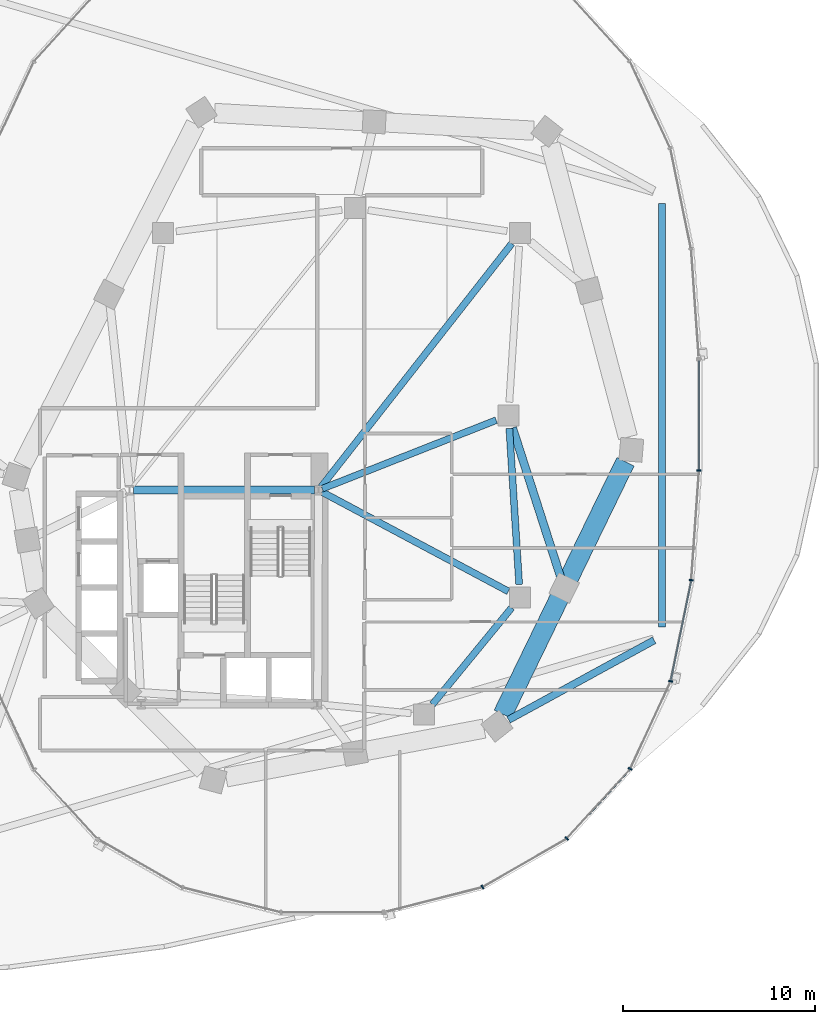
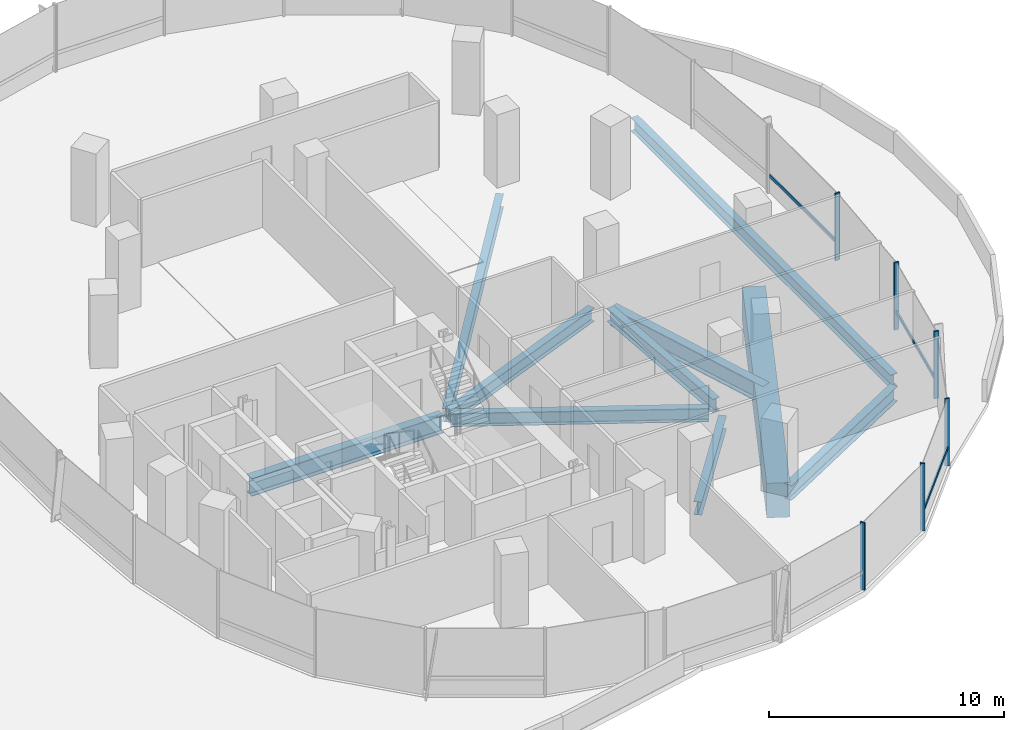
# One storey, part 12 of 28: 10 beams, 9 members, 1 element without a shape of its own.
"""IFC4 building model written with IfcOpenShell, lengths in metres."""

import ifcopenshell
import ifcopenshell.guid

model = None  # the IFC model being written
_history = None  # IfcOwnerHistory: only IFC2X3 demands one
_inside = {}  # id of a spatial element -> (the spatial element, [elements in it])
_under = {}  # id of a project, library or spatial element -> (it, [spatial elements below it])
_declared = {}  # id of a project -> (the project, [libraries it declares])
_typed = {}  # id of a type object -> (the type object, [elements of that type])
_made_of = {}  # id of a material, layer set ... -> (it, [elements and type objects made of it])


def new_model(schema):
    """Start an empty IFC model of exactly this schema.

    Asked for "IFC4X3", IfcOpenShell would pick the latest addendum, in which some entities
    have other attributes; the version numbers below select the first issue.
    IFC2X3 requires an IfcOwnerHistory on every rooted entity: one is made here for all.
    """
    global model, _history
    if schema == "IFC4X3":
        model = ifcopenshell.file(schema_version=(4, 3, 0, 0))
    else:
        model = ifcopenshell.file(schema=schema)
    _inside.clear()
    _under.clear()
    _declared.clear()
    _typed.clear()
    _made_of.clear()
    _history = None
    if model.schema == "IFC2X3":
        org = make("IfcOrganization", Name="unknown")
        user = make(
            "IfcPersonAndOrganization",
            ThePerson=make("IfcPerson", FamilyName="unknown"),
            TheOrganization=org,
        )
        app = make(
            "IfcApplication",
            ApplicationDeveloper=org,
            Version="unknown",
            ApplicationFullName="unknown",
            ApplicationIdentifier="unknown",
        )
        _history = make(
            "IfcOwnerHistory",
            OwningUser=user,
            OwningApplication=app,
            ChangeAction="ADDED",
            CreationDate=0,
        )
    return model


def make(cls, **values):
    """One entity of the class cls with the attributes given. An attribute that is None is left unset."""
    return model.create_entity(
        cls, **{name: value for name, value in values.items() if value is not None}
    )


def rooted(cls, **values):
    """An entity with a GlobalId (a new one), such as an element, a storey or a relation."""
    return make(cls, GlobalId=ifcopenshell.guid.new(), OwnerHistory=_history, **values)


def si_unit(unit_type, name, prefix=None):
    """IfcSIUnit, for example si_unit("LENGTHUNIT", "METRE", prefix="MILLI")."""
    return make("IfcSIUnit", UnitType=unit_type, Prefix=prefix, Name=name)


def assignment(units):
    """IfcUnitAssignment: the units of a project."""
    return None if units is None else make("IfcUnitAssignment", Units=units)


def point(xyz):
    """IfcCartesianPoint."""
    return None if xyz is None else make("IfcCartesianPoint", Coordinates=xyz)


def direction(xyz):
    """IfcDirection."""
    return None if xyz is None else make("IfcDirection", DirectionRatios=xyz)


def frame(location, z_axis=None, x_axis=None):
    """IfcAxis2Placement3D, a coordinate frame: its origin and axes. An axis left out is left unset."""
    return make(
        "IfcAxis2Placement3D",
        Location=point(location),
        Axis=direction(z_axis),
        RefDirection=direction(x_axis),
    )


def frame_2d(location, x_axis=None):
    """IfcAxis2Placement2D, a coordinate frame in the plane: its origin and x axis."""
    return make(
        "IfcAxis2Placement2D", Location=point(location), RefDirection=direction(x_axis)
    )


def origin():
    """The frame at (0, 0, 0) with its axes left unset."""
    return frame((0.0, 0.0, 0.0))


def origin_2d():
    """The frame at (0, 0) in the plane with its x axis left unset."""
    return frame_2d((0.0, 0.0))


def place(relative_to, where):
    """IfcLocalPlacement: puts the frame where relative to a parent placement (None: the world)."""
    return make(
        "IfcLocalPlacement", PlacementRelTo=relative_to, RelativePlacement=where
    )


def context(
    kind, dimensions, precision=None, world=None, true_north=None, identifier=None
):
    """IfcGeometricRepresentationContext, for example the 3D "Model" context."""
    return make(
        "IfcGeometricRepresentationContext",
        ContextIdentifier=identifier,
        ContextType=kind,
        CoordinateSpaceDimension=dimensions,
        Precision=precision,
        WorldCoordinateSystem=world,
        TrueNorth=true_north,
    )


def subcontext(parent, identifier, kind, view, scale=None):
    """IfcGeometricRepresentationSubContext, for example "Body" below "Model"."""
    return make(
        "IfcGeometricRepresentationSubContext",
        ContextIdentifier=identifier,
        ContextType=kind,
        ParentContext=parent,
        TargetScale=scale,
        TargetView=view,
    )


def project(units=None, contexts=None):
    """IfcProject with its units and contexts."""
    return rooted(
        "IfcProject",
        Name="project",
        RepresentationContexts=contexts,
        UnitsInContext=assignment(units),
    )


def spatial(cls, under=None, at=None, **own):
    """A site, building, storey or space (cls), placed at a placement, below another one or the project."""
    s = rooted(cls, ObjectPlacement=at, **own)
    if under is not None:
        _under.setdefault(under.id(), (under, []))[1].append(s)
    return s


def profile(cls, at=None, kind="AREA", **sizes):
    """A parametric profile (cls). Its sizes go by their IFC names, for example OverallWidth=200.0."""
    return make(cls, ProfileType=kind, Position=at, **sizes)


def rectangle(**sizes):
    """IfcRectangleProfileDef."""
    return profile("IfcRectangleProfileDef", **sizes)


def i_section(**sizes):
    """IfcIShapeProfileDef."""
    return profile("IfcIShapeProfileDef", **sizes)


def extrude(swept, where, along, depth):
    """IfcExtrudedAreaSolid: the profile swept, set in the frame where, extruded along a direction by depth."""
    return make(
        "IfcExtrudedAreaSolid",
        SweptArea=swept,
        Position=where,
        ExtrudedDirection=direction(along),
        Depth=depth,
    )


def shape(context_of_items, identifier, shape_type, items):
    """IfcShapeRepresentation: the items that make up one representation, for example the "Body"."""
    return make(
        "IfcShapeRepresentation",
        ContextOfItems=context_of_items,
        RepresentationIdentifier=identifier,
        RepresentationType=shape_type,
        Items=items,
    )


def material(Name=None, Category=None):
    """IfcMaterial."""
    return make("IfcMaterial", Name=Name, Category=Category)


def material_profile(
    of_material, cross_section, Name=None, Category=None, Priority=None
):
    """IfcMaterialProfile: a cross section and its material."""
    return make(
        "IfcMaterialProfile",
        Name=Name,
        Material=of_material,
        Profile=cross_section,
        Priority=Priority,
        Category=Category,
    )


def profile_set(profiles, Name=None, composite=None):
    """IfcMaterialProfileSet."""
    return make(
        "IfcMaterialProfileSet",
        Name=Name,
        MaterialProfiles=profiles,
        CompositeProfile=composite,
    )


def made_of(thing, what):
    """Note that an element or type object is made of a material, layer set ...; save() writes the relation."""
    if what is not None:
        _made_of.setdefault(what.id(), (what, []))[1].append(thing)
    return thing


def type_object(cls, material=None, **own):
    """A type object (cls), such as IfcWallType, which elements share."""
    return made_of(rooted(cls, **own), material)


def element(
    cls,
    number,
    at=None,
    inside=None,
    cuts=None,
    type_object=None,
    material=None,
    context=None,
    identifier="Body",
    shape_type=None,
    held_by="IfcProductDefinitionShape",
    body=None,
    shapes=None,
    **own,
):
    """One element of the class cls, such as IfcWall. Its Tag is "e" and its number.

    at: its placement. inside: the storey or other place that contains it. cuts: it is an
    opening in that element (IfcRelVoidsElement). A single representation is given by context,
    identifier, shape_type and body (its items); several are given by shapes. held_by: the class
    of the entity that holds the representations. save() writes the other relations.
    """
    e = rooted(cls, Tag="e%d" % number, ObjectPlacement=at, **own)
    if body is not None:
        shapes = [shape(context, identifier, shape_type, body)]
    if shapes is not None:
        e.Representation = make(held_by, Representations=shapes)
    if inside is not None:
        _inside.setdefault(inside.id(), (inside, []))[1].append(e)
    if cuts is not None:
        rooted(
            "IfcRelVoidsElement", RelatingBuildingElement=cuts, RelatedOpeningElement=e
        )
    if type_object is not None:
        _typed.setdefault(type_object.id(), (type_object, []))[1].append(e)
    return made_of(e, material)


def aggregate(whole, parts):
    """IfcRelAggregates: a whole, such as a stair, and the parts it consists of."""
    return rooted("IfcRelAggregates", RelatingObject=whole, RelatedObjects=parts)


def save(model, path):
    """Write the relations noted so far, then the file.

    IfcRelAggregates (storeys below a building ...), IfcRelContainedInSpatialStructure (elements
    in a storey), IfcRelDefinesByType, IfcRelAssociatesMaterial and IfcRelDeclares: one each for
    every whole, place, type object, material and project.
    """
    for whole, parts in _under.values():
        aggregate(whole, parts)
    for where, things in _inside.values():
        rooted(
            "IfcRelContainedInSpatialStructure",
            RelatedElements=things,
            RelatingStructure=where,
        )
    for kind, things in _typed.values():
        rooted("IfcRelDefinesByType", RelatedObjects=things, RelatingType=kind)
    for what, things in _made_of.values():
        rooted("IfcRelAssociatesMaterial", RelatedObjects=things, RelatingMaterial=what)
    for by, libraries in _declared.values():
        rooted("IfcRelDeclares", RelatingContext=by, RelatedDefinitions=libraries)
    model.write(path)


model = new_model("IFC4")

# Units and contexts
model_context = context("Model", 3, precision=1e-05, world=origin(), true_north=direction((0.0, 1.0)))
body_context = subcontext(model_context, "Body", "Model", "MODEL_VIEW")
ifc_project = project(units=[si_unit("LENGTHUNIT", "METRE"), si_unit("AREAUNIT", "SQUARE_METRE"), si_unit("VOLUMEUNIT", "CUBIC_METRE"), si_unit("PLANEANGLEUNIT", "RADIAN"), si_unit("MASSUNIT", "GRAM", prefix="KILO"), si_unit("THERMODYNAMICTEMPERATUREUNIT", "KELVIN"), si_unit("POWERUNIT", "WATT")], contexts=[model_context])

# Site, building, storey
site_placement = place(None, origin())
site = spatial("IfcSite", under=ifc_project, at=site_placement, CompositionType="ELEMENT")
building_placement = place(site_placement, origin())
building = spatial("IfcBuilding", under=site, at=building_placement, Name="Cundina Bronze Exchange", CompositionType="ELEMENT")
storey_placement = place(building_placement, frame((0.0, 0.0, 24.0)))
storey = spatial("IfcBuildingStorey", under=building, at=storey_placement, Name="L05", CompositionType="ELEMENT", Elevation=24.0)

# Beams
ifc_material_1 = material(Name="Steel ASTM A992 Grade 50", Category="steel")
ifc_material_profile_1 = material_profile(ifc_material_1, i_section(OverallWidth=0.35498046875, OverallDepth=0.695068359375, WebThickness=0.015380859375, FlangeThickness=0.02490234375, FilletRadius=0.01806640625, at=origin_2d()), Name="W27X146", Category="steel")
ifc_profile_set_1 = profile_set([ifc_material_profile_1], Name="Steel ASTM A992 Grade 50")
beam_type_1 = type_object("IfcBeamType", Name="BM-RING-W27", PredefinedType="USERDEFINED", material=ifc_profile_set_1)
beam_1_placement = place(storey_placement, frame((37.236083984375, -15.06787109375, -0.6474609375), z_axis=(0.633941925234, 0.773380653644, 0.0), x_axis=(-0.773380653644, 0.633941925234, 0.0)))
element("IfcBeam", 1, at=beam_1_placement, inside=storey, type_object=beam_type_1, Name="L05 E Inner Structural Ring Girder 02", ObjectType="GIRDER", PredefinedType="USERDEFINED", context=body_context, shape_type="SweptSolid", body=[
    extrude(i_section(OverallWidth=0.35498046875, OverallDepth=0.695068359375, WebThickness=0.015380859375, FlangeThickness=0.02490234375, FilletRadius=0.01806640625, at=origin_2d()), origin(), (0.0, 0.0, 1.0), 6.511474609375),
])
beam_2_placement = place(storey_placement, frame((41.756591796875, -8.8134765625, -0.6474609375), z_axis=(-0.063020359641, 0.998012241544, 0.0), x_axis=(-0.998012241544, -0.063020359641, 0.0)))
element("IfcBeam", 2, at=beam_2_placement, inside=storey, type_object=beam_type_1, Name="L05 E Inner Structural Ring Girder 03", ObjectType="GIRDER", PredefinedType="USERDEFINED", context=body_context, shape_type="SweptSolid", body=[
    extrude(i_section(OverallWidth=0.35498046875, OverallDepth=0.695068359375, WebThickness=0.015380859375, FlangeThickness=0.02490234375, FilletRadius=0.01806640625, at=origin_2d()), origin(), (0.0, 0.0, 1.0), 8.14306640625),
])
beam_3_placement = place(storey_placement, frame((31.48974609375, -3.8251953125, -0.6474609375), z_axis=(0.930410463214, 0.366519262715, 0.0), x_axis=(-0.366519262715, 0.930410463214, 0.0)))
element("IfcBeam", 3, at=beam_3_placement, inside=storey, type_object=beam_type_1, Name="L05 E Core-to-Waist Tie Beam 1", ObjectType="GIRDER", PredefinedType="USERDEFINED", context=body_context, shape_type="SweptSolid", body=[
    extrude(i_section(OverallWidth=0.35498046875, OverallDepth=0.695068359375, WebThickness=0.015380859375, FlangeThickness=0.02490234375, FilletRadius=0.01806640625, at=origin_2d()), origin(), (0.0, 0.0, 1.0), 9.74853515625),
])
beam_4_placement = place(storey_placement, frame((31.47998046875, -3.99609375, -0.6474609375), z_axis=(0.882354169055, -0.470585933014, 0.0), x_axis=(0.470585933014, 0.882354169055, 0.0)))
element("IfcBeam", 4, at=beam_4_placement, inside=storey, type_object=beam_type_1, Name="L05 E Core-to-Waist Tie Beam 2", ObjectType="GIRDER", PredefinedType="USERDEFINED", context=body_context, shape_type="SweptSolid", body=[
    extrude(i_section(OverallWidth=0.35498046875, OverallDepth=0.695068359375, WebThickness=0.015380859375, FlangeThickness=0.02490234375, FilletRadius=0.01806640625, at=origin_2d()), origin(), (0.0, 0.0, 1.0), 11.0078125),
])
beam_5_placement = place(storey_placement, frame((31.42578125, -3.739501953125, -0.6474609375), z_axis=(0.616784362929, 0.787132167839, 0.0), x_axis=(-0.787132167839, 0.616784362929, 0.0)))
element("IfcBeam", 5, at=beam_5_placement, inside=storey, type_object=beam_type_1, Name="L05 E Core-to-Waist Tie Beam 3", ObjectType="GIRDER", PredefinedType="USERDEFINED", context=body_context, shape_type="SweptSolid", body=[
    extrude(i_section(OverallWidth=0.35498046875, OverallDepth=0.695068359375, WebThickness=0.015380859375, FlangeThickness=0.02490234375, FilletRadius=0.01806640625, at=origin_2d()), origin(), (0.0, 0.0, 1.0), 16.132080078125),
])
beam_6_placement = place(storey_placement, frame((49.199951171875, 11.037109375, -0.652587890625), z_axis=(0.0, -1.0, 0.0), x_axis=(1.0, 0.0, 0.0)))
element("IfcBeam", 6, at=beam_6_placement, inside=storey, type_object=beam_type_1, Name="L05 Podium Roof Edge Girder 04", ObjectType="GIRDER", PredefinedType="USERDEFINED", context=body_context, shape_type="SweptSolid", body=[
    extrude(i_section(OverallWidth=0.35498046875, OverallDepth=0.695068359375, WebThickness=0.015380859375, FlangeThickness=0.02490234375, FilletRadius=0.01806640625, at=origin_2d()), origin(), (0.0, 0.0, 1.0), 22.07421875),
])
ifc_material_profile_2 = material_profile(ifc_material_1, i_section(OverallWidth=0.381103515625, OverallDepth=0.77294921875, WebThickness=0.0166015625, FlangeThickness=0.027099609375, FilletRadius=0.01904296875, at=origin_2d()), Name="W30X173", Category="steel")
ifc_profile_set_2 = profile_set([ifc_material_profile_2], Name="Steel ASTM A992 Grade 50")
beam_type_2 = type_object("IfcBeamType", Name="BM-RING-W30", PredefinedType="USERDEFINED", material=ifc_profile_set_2)
beam_7_placement = place(storey_placement, frame((48.793701171875, -11.721923828125, -0.69140625), z_axis=(-0.877499398221, -0.479577737308, 0.0), x_axis=(0.479577737308, -0.877499398221, 0.0)))
element("IfcBeam", 7, at=beam_7_placement, inside=storey, type_object=beam_type_2, Name="L05 Podium Colonnade Tie Beam 08", ObjectType="GIRDER", PredefinedType="USERDEFINED", context=body_context, shape_type="SweptSolid", body=[
    extrude(i_section(OverallWidth=0.381103515625, OverallDepth=0.77294921875, WebThickness=0.0166015625, FlangeThickness=0.027099609375, FilletRadius=0.01904296875, at=origin_2d()), origin(), (0.0, 0.0, 1.0), 8.649658203125),
])
ifc_material_profile_3 = material_profile(ifc_material_1, i_section(OverallWidth=0.423095703125, OverallDepth=0.947998046875, WebThickness=0.02392578125, FlangeThickness=0.042724609375, FilletRadius=0.02392578125, at=origin_2d()), Name="W36X302", Category="steel")
ifc_profile_set_3 = profile_set([ifc_material_profile_3], Name="Steel ASTM A992 Grade 50")
beam_type_3 = type_object("IfcBeamType", Name="BM-WRN-W36A", PredefinedType="USERDEFINED", material=ifc_profile_set_3)
beam_8_placement = place(storey_placement, frame((41.410888671875, -0.65478515625, -0.77392578125), z_axis=(0.306713948164, -0.951801740911, 0.0), x_axis=(0.951801740911, 0.306713948164, 0.0)))
element("IfcBeam", 8, at=beam_8_placement, inside=storey, type_object=beam_type_3, Name="L05 E Transfer Radial Tie Girder 07", ObjectType="GIRDER", PredefinedType="USERDEFINED", context=body_context, shape_type="SweptSolid", body=[
    extrude(i_section(OverallWidth=0.423095703125, OverallDepth=0.947998046875, WebThickness=0.02392578125, FlangeThickness=0.042724609375, FilletRadius=0.02392578125, at=origin_2d()), origin(), (0.0, 0.0, 1.0), 8.767822265625),
])
ifc_material_profile_4 = material_profile(ifc_material_1, i_section(OverallWidth=0.41796875, OverallDepth=0.927001953125, WebThickness=0.019287109375, FlangeThickness=0.031982421875, FilletRadius=0.02392578125, at=origin_2d()), Name="W36X231", Category="steel")
ifc_profile_set_4 = profile_set([ifc_material_profile_4], Name="Steel ASTM A992 Grade 50")
beam_type_4 = type_object("IfcBeamType", Name="BM-WRN-W36B", PredefinedType="USERDEFINED", material=ifc_profile_set_4)
beam_9_placement = place(storey_placement, frame((31.095947265625, -3.89990234375, -0.763427734375), z_axis=(-1.0, 0.0, 0.0), x_axis=(0.0, -1.0, 0.0)))
element("IfcBeam", 9, at=beam_9_placement, inside=storey, type_object=beam_type_4, Name="L05 E Core Perimeter Tie Girder 1", ObjectType="GIRDER", PredefinedType="USERDEFINED", context=body_context, shape_type="SweptSolid", body=[
    extrude(i_section(OverallWidth=0.41796875, OverallDepth=0.927001953125, WebThickness=0.019287109375, FlangeThickness=0.031982421875, FilletRadius=0.02392578125, at=origin_2d()), origin(), (0.0, 0.0, 1.0), 9.44189453125),
])
ifc_material_2 = material(Name="Concrete C60/75", Category="concrete")
ifc_material_profile_5 = material_profile(ifc_material_2, rectangle(XDim=1.0, YDim=1.800048828125, at=origin_2d()), Name="RC1000X1800", Category="concrete")
ifc_profile_set_5 = profile_set([ifc_material_profile_5], Name="Concrete C60/75")
beam_type_5 = type_object("IfcBeamType", Name="BM-XFER-RC1800", PredefinedType="USERDEFINED", material=ifc_profile_set_5)
beam_10_placement = place(storey_placement, frame((40.90087890625, -15.581298828125, -1.199951171875), z_axis=(0.437190083216, 0.899369129522, 0.0), x_axis=(-0.899369129522, 0.437190083216, 0.0)))
element("IfcBeam", 10, at=beam_10_placement, inside=storey, type_object=beam_type_5, Name="L05 E Podium Perimeter Transfer Girder 06", ObjectType="GIRDER", PredefinedType="USERDEFINED", context=body_context, shape_type="SweptSolid", body=[
    extrude(rectangle(XDim=1.0, YDim=1.800048828125, at=origin_2d()), origin(), (0.0, 0.0, 1.0), 14.63525390625),
])

# Curtain wall, members
ifc_material_3 = material(Name="Anodised Bronze Aluminium 6063-T6", Category="aluminium")
curtain_wall_type = type_object("IfcCurtainWallType", Name="CWS-TRD-LOW", PredefinedType="NOTDEFINED", material=ifc_material_3)
curtain_wall_placement = place(storey_placement, origin())
curtain_wall = element("IfcCurtainWall", 11, at=curtain_wall_placement, inside=storey, type_object=curtain_wall_type, Name="L05 CW-02 Curtain Wall Run CWR-L05-E4", PredefinedType="NOTDEFINED")
ifc_material_profile_6 = material_profile(ifc_material_3, rectangle(XDim=0.074951171875, YDim=0.219970703125, at=origin_2d()), Name="AL75X220", Category="aluminium")
ifc_profile_set_6 = profile_set([ifc_material_profile_6], Name="Anodised Bronze Aluminium 6063-T6")
member_type_1 = type_object("IfcMemberType", Name="CWM-MUL-220", PredefinedType="MULLION", material=ifc_profile_set_6)
member_1_placement = place(storey_placement, frame((39.848876953125, -24.591064453125, 0.0), z_axis=(0.0, 0.0, 1.0), x_axis=(0.867070701164, 0.498185105339, 0.0)))
member_1 = element("IfcMember", 12, at=member_1_placement, type_object=member_type_1, Name="CW-02 Mullion 2", PredefinedType="MULLION", context=body_context, shape_type="SweptSolid", body=[
    extrude(rectangle(XDim=0.074951171875, YDim=0.219970703125, at=origin_2d()), origin(), (0.0, 0.0, 1.0), 3.5),
])
member_2_placement = place(storey_placement, frame((44.239501953125, -22.0576171875, 0.0), z_axis=(0.0, 0.0, 1.0), x_axis=(0.674302387584, 0.738455340626, 0.0)))
member_2 = element("IfcMember", 13, at=member_2_placement, type_object=member_type_1, Name="CW-02 Mullion 3", PredefinedType="MULLION", context=body_context, shape_type="SweptSolid", body=[
    extrude(rectangle(XDim=0.074951171875, YDim=0.219970703125, at=origin_2d()), origin(), (0.0, 0.0, 1.0), 3.5),
])
member_3_placement = place(storey_placement, frame((47.544189453125, -18.423583984375, 0.0), z_axis=(0.0, 0.0, 1.0), x_axis=(0.42087749791, 0.907117485088, 0.0)))
member_3 = element("IfcMember", 14, at=member_3_placement, type_object=member_type_1, Name="CW-02 Mullion 4", PredefinedType="MULLION", context=body_context, shape_type="SweptSolid", body=[
    extrude(rectangle(XDim=0.074951171875, YDim=0.219970703125, at=origin_2d()), origin(), (0.0, 0.0, 1.0), 3.5),
])
member_4_placement = place(storey_placement, frame((49.651123046875, -13.861328125, 0.0), z_axis=(0.0, 0.0, 1.0), x_axis=(0.201419845156, 0.979505000486, 0.0)))
member_4 = element("IfcMember", 15, at=member_4_placement, type_object=member_type_1, Name="CW-02 Mullion 5", PredefinedType="MULLION", context=body_context, shape_type="SweptSolid", body=[
    extrude(rectangle(XDim=0.074951171875, YDim=0.219970703125, at=origin_2d()), origin(), (0.0, 0.0, 1.0), 3.5),
])
member_5_placement = place(storey_placement, frame((50.72900390625, -8.591552734375, 0.0), z_axis=(0.0, 0.0, 1.0), x_axis=(0.070278787473, 0.997527389113, 0.0)))
member_5 = element("IfcMember", 16, at=member_5_placement, type_object=member_type_1, Name="CW-02 Mullion 6", PredefinedType="MULLION", context=body_context, shape_type="SweptSolid", body=[
    extrude(rectangle(XDim=0.074951171875, YDim=0.219970703125, at=origin_2d()), origin(), (0.0, 0.0, 1.0), 3.5),
])
member_6_placement = place(storey_placement, frame((51.1279296875, -2.880615234375, 0.0), z_axis=(0.0, 0.0, 1.0), x_axis=(0.0, 1.0, 0.0)))
member_6 = element("IfcMember", 17, at=member_6_placement, type_object=member_type_1, Name="CW-02 Mullion 7", PredefinedType="MULLION", context=body_context, shape_type="SweptSolid", body=[
    extrude(rectangle(XDim=0.074951171875, YDim=0.219970703125, at=origin_2d()), origin(), (0.0, 0.0, 1.0), 3.5),
])
ifc_material_profile_7 = material_profile(ifc_material_3, rectangle(XDim=0.070068359375, YDim=0.179931640625, at=origin_2d()), Name="AL70X180", Category="aluminium")
ifc_profile_set_7 = profile_set([ifc_material_profile_7], Name="Anodised Bronze Aluminium 6063-T6")
member_type_2 = type_object("IfcMemberType", Name="CWM-TRN-180", PredefinedType="USERDEFINED", material=ifc_profile_set_7)
member_7_placement = place(storey_placement, frame((44.26708984375, -22.027099609375, 0.919921875), z_axis=(0.674302794847, 0.738454968743, 0.0), x_axis=(-0.738454968743, 0.674302794847, 0.0)))
member_7 = element("IfcMember", 18, at=member_7_placement, type_object=member_type_2, Name="CW-02 Spandrel Transom 3", ObjectType="TRANSOM", PredefinedType="USERDEFINED", context=body_context, shape_type="SweptSolid", body=[
    extrude(rectangle(XDim=0.070068359375, YDim=0.179931640625, at=origin_2d()), origin(), (0.0, 0.0, 1.0), 4.848388671875),
])
member_8_placement = place(storey_placement, frame((49.659423828125, -13.821044921875, 0.919921875), z_axis=(0.201427712708, 0.979503382615, 0.0), x_axis=(-0.979503382615, 0.201427712708, 0.0)))
member_8 = element("IfcMember", 19, at=member_8_placement, type_object=member_type_2, Name="CW-02 Spandrel Transom 5", ObjectType="TRANSOM", PredefinedType="USERDEFINED", context=body_context, shape_type="SweptSolid", body=[
    extrude(rectangle(XDim=0.070068359375, YDim=0.179931640625, at=origin_2d()), origin(), (0.0, 0.0, 1.0), 5.291748046875),
])
member_9_placement = place(storey_placement, frame((51.1279296875, -2.839111328125, 0.919921875), z_axis=(0.0, 1.0, 0.0), x_axis=(-1.0, 0.0, 0.0)))
member_9 = element("IfcMember", 20, at=member_9_placement, type_object=member_type_2, Name="CW-02 Spandrel Transom 7", ObjectType="TRANSOM", PredefinedType="USERDEFINED", context=body_context, shape_type="SweptSolid", body=[
    extrude(rectangle(XDim=0.070068359375, YDim=0.179931640625, at=origin_2d()), origin(), (0.0, 0.0, 1.0), 5.67822265625),
])
aggregate(curtain_wall, [member_1, member_2, member_7, member_3, member_4, member_8, member_5, member_6, member_9])

save(model, "model.ifc")
